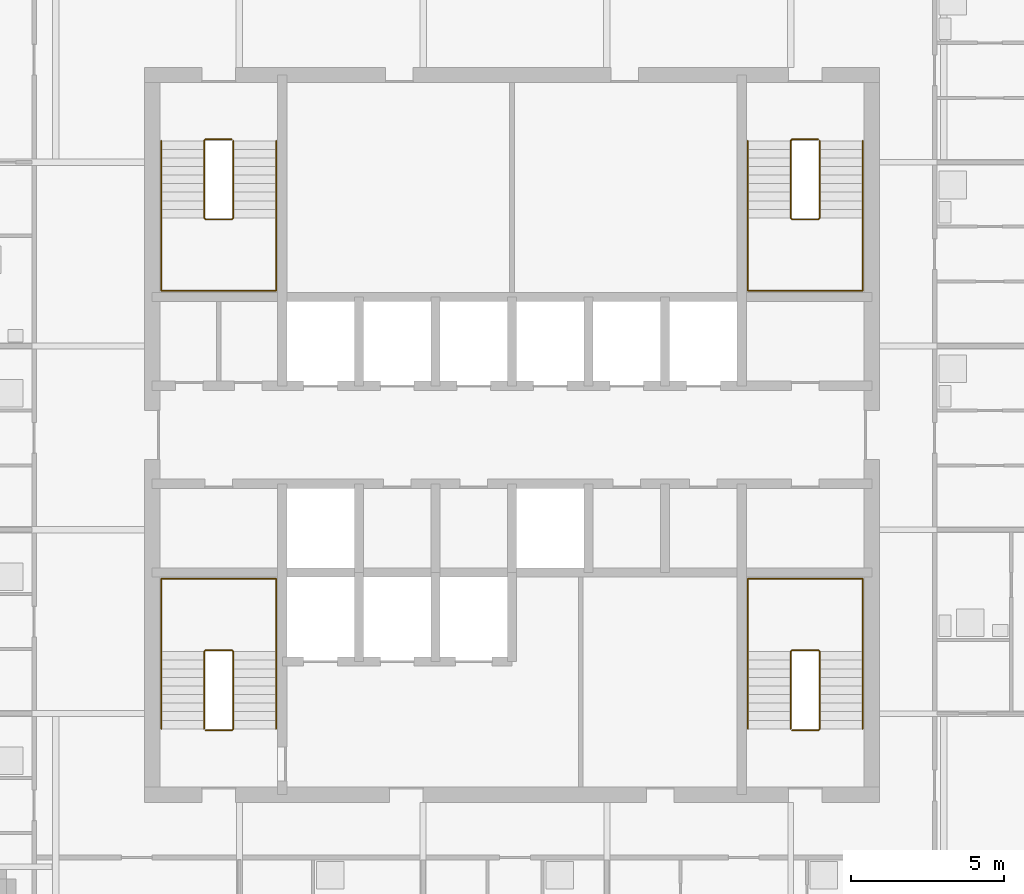
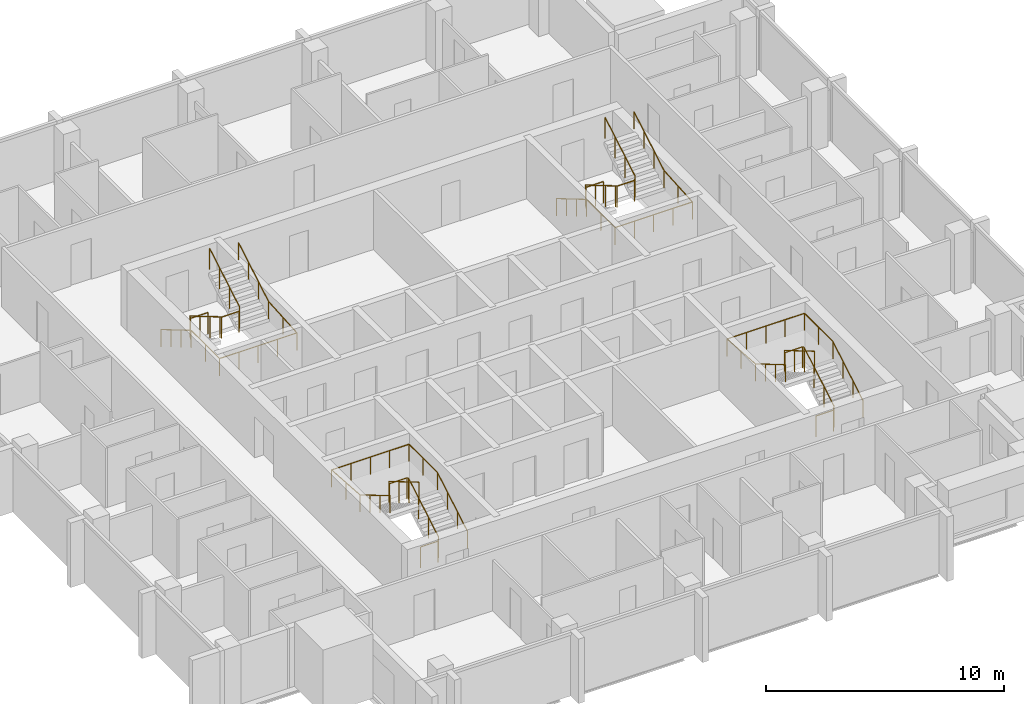
# One storey, part 8 of 9: 8 railings.
"""IFC4 building model written with IfcOpenShell, lengths in metres."""

import ifcopenshell
import ifcopenshell.guid

model = None  # the IFC model being written
_history = None  # IfcOwnerHistory: only IFC2X3 demands one
_inside = {}  # id of a spatial element -> (the spatial element, [elements in it])
_under = {}  # id of a project, library or spatial element -> (it, [spatial elements below it])
_declared = {}  # id of a project -> (the project, [libraries it declares])
_typed = {}  # id of a type object -> (the type object, [elements of that type])
_made_of = {}  # id of a material, layer set ... -> (it, [elements and type objects made of it])


def new_model(schema):
    """Start an empty IFC model of exactly this schema.

    Asked for "IFC4X3", IfcOpenShell would pick the latest addendum, in which some entities
    have other attributes; the version numbers below select the first issue.
    IFC2X3 requires an IfcOwnerHistory on every rooted entity: one is made here for all.
    """
    global model, _history
    if schema == "IFC4X3":
        model = ifcopenshell.file(schema_version=(4, 3, 0, 0))
    else:
        model = ifcopenshell.file(schema=schema)
    _inside.clear()
    _under.clear()
    _declared.clear()
    _typed.clear()
    _made_of.clear()
    _history = None
    if model.schema == "IFC2X3":
        org = make("IfcOrganization", Name="unknown")
        user = make(
            "IfcPersonAndOrganization",
            ThePerson=make("IfcPerson", FamilyName="unknown"),
            TheOrganization=org,
        )
        app = make(
            "IfcApplication",
            ApplicationDeveloper=org,
            Version="unknown",
            ApplicationFullName="unknown",
            ApplicationIdentifier="unknown",
        )
        _history = make(
            "IfcOwnerHistory",
            OwningUser=user,
            OwningApplication=app,
            ChangeAction="ADDED",
            CreationDate=0,
        )
    return model


def make(cls, **values):
    """One entity of the class cls with the attributes given. An attribute that is None is left unset."""
    return model.create_entity(
        cls, **{name: value for name, value in values.items() if value is not None}
    )


def rooted(cls, **values):
    """An entity with a GlobalId (a new one), such as an element, a storey or a relation."""
    return make(cls, GlobalId=ifcopenshell.guid.new(), OwnerHistory=_history, **values)


def si_unit(unit_type, name, prefix=None):
    """IfcSIUnit, for example si_unit("LENGTHUNIT", "METRE", prefix="MILLI")."""
    return make("IfcSIUnit", UnitType=unit_type, Prefix=prefix, Name=name)


def assignment(units):
    """IfcUnitAssignment: the units of a project."""
    return None if units is None else make("IfcUnitAssignment", Units=units)


def point(xyz):
    """IfcCartesianPoint."""
    return None if xyz is None else make("IfcCartesianPoint", Coordinates=xyz)


def direction(xyz):
    """IfcDirection."""
    return None if xyz is None else make("IfcDirection", DirectionRatios=xyz)


def frame(location, z_axis=None, x_axis=None):
    """IfcAxis2Placement3D, a coordinate frame: its origin and axes. An axis left out is left unset."""
    return make(
        "IfcAxis2Placement3D",
        Location=point(location),
        Axis=direction(z_axis),
        RefDirection=direction(x_axis),
    )


def frame_2d(location, x_axis=None):
    """IfcAxis2Placement2D, a coordinate frame in the plane: its origin and x axis."""
    return make(
        "IfcAxis2Placement2D", Location=point(location), RefDirection=direction(x_axis)
    )


def origin():
    """The frame at (0, 0, 0) with its axes left unset."""
    return frame((0.0, 0.0, 0.0))


def origin_2d():
    """The frame at (0, 0) in the plane with its x axis left unset."""
    return frame_2d((0.0, 0.0))


def place(relative_to, where):
    """IfcLocalPlacement: puts the frame where relative to a parent placement (None: the world)."""
    return make(
        "IfcLocalPlacement", PlacementRelTo=relative_to, RelativePlacement=where
    )


def context(
    kind, dimensions, precision=None, world=None, true_north=None, identifier=None
):
    """IfcGeometricRepresentationContext, for example the 3D "Model" context."""
    return make(
        "IfcGeometricRepresentationContext",
        ContextIdentifier=identifier,
        ContextType=kind,
        CoordinateSpaceDimension=dimensions,
        Precision=precision,
        WorldCoordinateSystem=world,
        TrueNorth=true_north,
    )


def subcontext(parent, identifier, kind, view, scale=None):
    """IfcGeometricRepresentationSubContext, for example "Body" below "Model"."""
    return make(
        "IfcGeometricRepresentationSubContext",
        ContextIdentifier=identifier,
        ContextType=kind,
        ParentContext=parent,
        TargetScale=scale,
        TargetView=view,
    )


def project(units=None, contexts=None):
    """IfcProject with its units and contexts."""
    return rooted(
        "IfcProject",
        Name="project",
        RepresentationContexts=contexts,
        UnitsInContext=assignment(units),
    )


def spatial(cls, under=None, at=None, **own):
    """A site, building, storey or space (cls), placed at a placement, below another one or the project."""
    s = rooted(cls, ObjectPlacement=at, **own)
    if under is not None:
        _under.setdefault(under.id(), (under, []))[1].append(s)
    return s


def profile(cls, at=None, kind="AREA", **sizes):
    """A parametric profile (cls). Its sizes go by their IFC names, for example OverallWidth=200.0."""
    return make(cls, ProfileType=kind, Position=at, **sizes)


def circle(**sizes):
    """IfcCircleProfileDef."""
    return profile("IfcCircleProfileDef", **sizes)


def extrude(swept, where, along, depth):
    """IfcExtrudedAreaSolid: the profile swept, set in the frame where, extruded along a direction by depth."""
    return make(
        "IfcExtrudedAreaSolid",
        SweptArea=swept,
        Position=where,
        ExtrudedDirection=direction(along),
        Depth=depth,
    )


def shape(context_of_items, identifier, shape_type, items):
    """IfcShapeRepresentation: the items that make up one representation, for example the "Body"."""
    return make(
        "IfcShapeRepresentation",
        ContextOfItems=context_of_items,
        RepresentationIdentifier=identifier,
        RepresentationType=shape_type,
        Items=items,
    )


def material(Name=None, Category=None):
    """IfcMaterial."""
    return make("IfcMaterial", Name=Name, Category=Category)


def made_of(thing, what):
    """Note that an element or type object is made of a material, layer set ...; save() writes the relation."""
    if what is not None:
        _made_of.setdefault(what.id(), (what, []))[1].append(thing)
    return thing


def type_object(cls, material=None, **own):
    """A type object (cls), such as IfcWallType, which elements share."""
    return made_of(rooted(cls, **own), material)


def element(
    cls,
    number,
    at=None,
    inside=None,
    cuts=None,
    type_object=None,
    material=None,
    context=None,
    identifier="Body",
    shape_type=None,
    held_by="IfcProductDefinitionShape",
    body=None,
    shapes=None,
    **own,
):
    """One element of the class cls, such as IfcWall. Its Tag is "e" and its number.

    at: its placement. inside: the storey or other place that contains it. cuts: it is an
    opening in that element (IfcRelVoidsElement). A single representation is given by context,
    identifier, shape_type and body (its items); several are given by shapes. held_by: the class
    of the entity that holds the representations. save() writes the other relations.
    """
    e = rooted(cls, Tag="e%d" % number, ObjectPlacement=at, **own)
    if body is not None:
        shapes = [shape(context, identifier, shape_type, body)]
    if shapes is not None:
        e.Representation = make(held_by, Representations=shapes)
    if inside is not None:
        _inside.setdefault(inside.id(), (inside, []))[1].append(e)
    if cuts is not None:
        rooted(
            "IfcRelVoidsElement", RelatingBuildingElement=cuts, RelatedOpeningElement=e
        )
    if type_object is not None:
        _typed.setdefault(type_object.id(), (type_object, []))[1].append(e)
    return made_of(e, material)


def aggregate(whole, parts):
    """IfcRelAggregates: a whole, such as a stair, and the parts it consists of."""
    return rooted("IfcRelAggregates", RelatingObject=whole, RelatedObjects=parts)


def save(model, path):
    """Write the relations noted so far, then the file.

    IfcRelAggregates (storeys below a building ...), IfcRelContainedInSpatialStructure (elements
    in a storey), IfcRelDefinesByType, IfcRelAssociatesMaterial and IfcRelDeclares: one each for
    every whole, place, type object, material and project.
    """
    for whole, parts in _under.values():
        aggregate(whole, parts)
    for where, things in _inside.values():
        rooted(
            "IfcRelContainedInSpatialStructure",
            RelatedElements=things,
            RelatingStructure=where,
        )
    for kind, things in _typed.values():
        rooted("IfcRelDefinesByType", RelatedObjects=things, RelatingType=kind)
    for what, things in _made_of.values():
        rooted("IfcRelAssociatesMaterial", RelatedObjects=things, RelatingMaterial=what)
    for by, libraries in _declared.values():
        rooted("IfcRelDeclares", RelatingContext=by, RelatedDefinitions=libraries)
    model.write(path)


model = new_model("IFC4")

# Units and contexts
model_context = context("Model", 3, precision=1e-05, world=origin(), true_north=direction((0.0, 1.0)))
body_context = subcontext(model_context, "Body", "Model", "MODEL_VIEW")
ifc_project = project(units=[si_unit("LENGTHUNIT", "METRE"), si_unit("AREAUNIT", "SQUARE_METRE"), si_unit("VOLUMEUNIT", "CUBIC_METRE"), si_unit("PLANEANGLEUNIT", "RADIAN"), si_unit("MASSUNIT", "GRAM", prefix="KILO")], contexts=[model_context])

# Site, building, storey
site_placement = place(None, origin())
site = spatial("IfcSite", under=ifc_project, at=site_placement, CompositionType="ELEMENT")
building_placement = place(site_placement, origin())
building = spatial("IfcBuilding", under=site, at=building_placement, Name="Amberfall Residences", CompositionType="ELEMENT")
storey_placement = place(building_placement, frame((0.0, 0.0, 245.5)))
storey = spatial("IfcBuildingStorey", under=building, at=storey_placement, Name="L65", CompositionType="ELEMENT", Elevation=245.5)

# Railings
ifc_material = material(Name="Stainless steel 316", Category="steel")
railing_type_1 = type_object("IfcRailingType", Name="Stair guard 1100", PredefinedType="GUARDRAIL", material=ifc_material)
railing_1_placement = place(storey_placement, frame((64.5, 35.85009765625, 0.0)))
element("IfcRailing", 1, at=railing_1_placement, inside=storey, type_object=railing_type_1, Name="L65 stair 1 guard", PredefinedType="GUARDRAIL", context=body_context, shape_type="SweptSolid", body=[
    extrude(circle(Radius=0.02392578125, at=origin_2d()), frame((0.0, 0.0, 1.076171875), z_axis=(1.0, 0.0, 0.0), x_axis=(0.0, 1.0, 0.0)), (0.0, 0.0, 1.0), 0.85009765625),
    extrude(circle(Radius=0.02392578125, at=origin_2d()), frame((0.85009765625, 0.0, 1.076171875), z_axis=(0.27755538755, 0.27755538755, 0.919742362667), x_axis=(-0.707106781187, 0.707106781187, 0.0)), (0.0, 0.0, 1.0), 0.179443359375),
    extrude(circle(Radius=0.02392578125, at=origin_2d()), frame((0.89990234375, 0.0498046875, 1.2412109375), z_axis=(0.0, 0.861560626758, 0.507654692109), x_axis=(-1.0, 0.0, 0.0)), (0.0, 0.0, 1.0), 2.925048828125),
    extrude(circle(Radius=0.02392578125, at=origin_2d()), frame((0.89990234375, 2.56982421875, 2.72607421875), z_axis=(-0.705375805398, 0.708833529934, 0.0), x_axis=(-0.708833529934, -0.705375805398, 0.0)), (0.0, 0.0, 1.0), 0.070556640625),
    extrude(circle(Radius=0.02392578125, at=origin_2d()), frame((0.85009765625, 2.619873046875, 2.72607421875), z_axis=(-1.0, 0.0, 0.0), x_axis=(0.0, -1.0, 0.0)), (0.0, 0.0, 1.0), 0.85009765625),
    extrude(circle(Radius=0.02392578125, at=origin_2d()), frame((0.0, 2.619873046875, 2.72607421875), z_axis=(-0.278705021027, -0.278705021027, 0.919046801044), x_axis=(0.707106781187, -0.707106781187, 0.0)), (0.0, 0.0, 1.0), 0.1796875),
    extrude(circle(Radius=0.02392578125, at=origin_2d()), frame((-0.050048828125, 2.56982421875, 2.89111328125), z_axis=(0.0, -0.86152411907, 0.507716645641), x_axis=(1.0, 0.0, 0.0)), (0.0, 0.0, 1.0), 2.925048828125),
    extrude(circle(Radius=0.02099609375, at=origin_2d()), origin(), (0.0, 0.0, 1.0), 1.052001953125),
    extrude(circle(Radius=0.02099609375, at=origin_2d()), frame((0.85009765625, 0.0, 0.0)), (0.0, 0.0, 1.0), 1.052001953125),
    extrude(circle(Radius=0.02099609375, at=origin_2d()), frame((0.89990234375, 0.0498046875, 0.1650390625)), (0.0, 0.0, 1.0), 1.052001953125),
    extrude(circle(Radius=0.02099609375, at=origin_2d()), frame((0.89990234375, 0.889892578125, 0.659912109375)), (0.0, 0.0, 1.0), 1.052001953125),
    extrude(circle(Radius=0.02099609375, at=origin_2d()), frame((0.89990234375, 1.729736328125, 1.155029296875)), (0.0, 0.0, 1.0), 1.052001953125),
    extrude(circle(Radius=0.02099609375, at=origin_2d()), frame((0.89990234375, 2.56982421875, 1.64990234375)), (0.0, 0.0, 1.0), 1.052001953125),
    extrude(circle(Radius=0.02099609375, at=origin_2d()), frame((0.85009765625, 2.619873046875, 1.64990234375)), (0.0, 0.0, 1.0), 1.052001953125),
    extrude(circle(Radius=0.02099609375, at=origin_2d()), frame((0.0, 2.619873046875, 1.64990234375)), (0.0, 0.0, 1.0), 1.052001953125),
    extrude(circle(Radius=0.02099609375, at=origin_2d()), frame((-0.050048828125, 2.56982421875, 1.81494140625)), (0.0, 0.0, 1.0), 1.052001953125),
    extrude(circle(Radius=0.02099609375, at=origin_2d()), frame((-0.050048828125, 1.729736328125, 2.31005859375)), (0.0, 0.0, 1.0), 1.052001953125),
    extrude(circle(Radius=0.02099609375, at=origin_2d()), frame((-0.050048828125, 0.889892578125, 2.804931640625)), (0.0, 0.0, 1.0), 1.052001953125),
    extrude(circle(Radius=0.02099609375, at=origin_2d()), frame((-0.050048828125, 0.0498046875, 3.300048828125)), (0.0, 0.0, 1.0), 1.052001953125),
])
railing_2_placement = place(storey_placement, frame((83.64990234375, 35.85009765625, 0.0)))
element("IfcRailing", 2, at=railing_2_placement, inside=storey, type_object=railing_type_1, Name="L65 stair 2 guard", PredefinedType="GUARDRAIL", context=body_context, shape_type="SweptSolid", body=[
    extrude(circle(Radius=0.02392578125, at=origin_2d()), frame((0.0, 0.0, 1.076171875), z_axis=(1.0, 0.0, 0.0), x_axis=(0.0, 1.0, 0.0)), (0.0, 0.0, 1.0), 0.85009765625),
    extrude(circle(Radius=0.02392578125, at=origin_2d()), frame((0.85009765625, 0.0, 1.076171875), z_axis=(0.278810427259, 0.277450376394, 0.919394384522), x_axis=(-0.705375805398, 0.708833529934, 0.0)), (0.0, 0.0, 1.0), 0.179443359375),
    extrude(circle(Radius=0.02392578125, at=origin_2d()), frame((0.900146484375, 0.0498046875, 1.2412109375), z_axis=(0.0, 0.861560626758, 0.507654692109), x_axis=(-1.0, 0.0, 0.0)), (0.0, 0.0, 1.0), 2.925048828125),
    extrude(circle(Radius=0.02392578125, at=origin_2d()), frame((0.900146484375, 2.56982421875, 2.72607421875), z_axis=(-0.707106781187, 0.707106781187, 0.0), x_axis=(-0.707106781187, -0.707106781187, 0.0)), (0.0, 0.0, 1.0), 0.07080078125),
    extrude(circle(Radius=0.02392578125, at=origin_2d()), frame((0.85009765625, 2.619873046875, 2.72607421875), z_axis=(-1.0, 0.0, 0.0), x_axis=(0.0, -1.0, 0.0)), (0.0, 0.0, 1.0), 0.85009765625),
    extrude(circle(Radius=0.02392578125, at=origin_2d()), frame((0.0, 2.619873046875, 2.72607421875), z_axis=(-0.277450376394, -0.278810427259, 0.919394384522), x_axis=(0.708833529934, -0.705375805398, 0.0)), (0.0, 0.0, 1.0), 0.179443359375),
    extrude(circle(Radius=0.02392578125, at=origin_2d()), frame((-0.0498046875, 2.56982421875, 2.89111328125), z_axis=(0.0, -0.86152411907, 0.507716645641), x_axis=(1.0, 0.0, 0.0)), (0.0, 0.0, 1.0), 2.925048828125),
    extrude(circle(Radius=0.02099609375, at=origin_2d()), origin(), (0.0, 0.0, 1.0), 1.052001953125),
    extrude(circle(Radius=0.02099609375, at=origin_2d()), frame((0.85009765625, 0.0, 0.0)), (0.0, 0.0, 1.0), 1.052001953125),
    extrude(circle(Radius=0.02099609375, at=origin_2d()), frame((0.900146484375, 0.0498046875, 0.1650390625)), (0.0, 0.0, 1.0), 1.052001953125),
    extrude(circle(Radius=0.02099609375, at=origin_2d()), frame((0.900146484375, 0.889892578125, 0.659912109375)), (0.0, 0.0, 1.0), 1.052001953125),
    extrude(circle(Radius=0.02099609375, at=origin_2d()), frame((0.900146484375, 1.729736328125, 1.155029296875)), (0.0, 0.0, 1.0), 1.052001953125),
    extrude(circle(Radius=0.02099609375, at=origin_2d()), frame((0.900146484375, 2.56982421875, 1.64990234375)), (0.0, 0.0, 1.0), 1.052001953125),
    extrude(circle(Radius=0.02099609375, at=origin_2d()), frame((0.85009765625, 2.619873046875, 1.64990234375)), (0.0, 0.0, 1.0), 1.052001953125),
    extrude(circle(Radius=0.02099609375, at=origin_2d()), frame((0.0, 2.619873046875, 1.64990234375)), (0.0, 0.0, 1.0), 1.052001953125),
    extrude(circle(Radius=0.02099609375, at=origin_2d()), frame((-0.0498046875, 2.56982421875, 1.81494140625)), (0.0, 0.0, 1.0), 1.052001953125),
    extrude(circle(Radius=0.02099609375, at=origin_2d()), frame((-0.0498046875, 1.729736328125, 2.31005859375)), (0.0, 0.0, 1.0), 1.052001953125),
    extrude(circle(Radius=0.02099609375, at=origin_2d()), frame((-0.0498046875, 0.889892578125, 2.804931640625)), (0.0, 0.0, 1.0), 1.052001953125),
    extrude(circle(Radius=0.02099609375, at=origin_2d()), frame((-0.0498046875, 0.0498046875, 3.300048828125)), (0.0, 0.0, 1.0), 1.052001953125),
])
railing_3_placement = place(storey_placement, frame((84.5, 55.14990234375, 0.0)))
element("IfcRailing", 3, at=railing_3_placement, inside=storey, type_object=railing_type_1, Name="L65 stair 3 guard", PredefinedType="GUARDRAIL", context=body_context, shape_type="SweptSolid", body=[
    extrude(circle(Radius=0.02392578125, at=origin_2d()), frame((0.0, 0.0, 1.076171875), z_axis=(-1.0, 0.0, 0.0), x_axis=(0.0, -1.0, 0.0)), (0.0, 0.0, 1.0), 0.85009765625),
    extrude(circle(Radius=0.02392578125, at=origin_2d()), frame((-0.85009765625, 0.0, 1.076171875), z_axis=(-0.27755538755, -0.27755538755, 0.919742362667), x_axis=(0.707106781187, -0.707106781187, 0.0)), (0.0, 0.0, 1.0), 0.179443359375),
    extrude(circle(Radius=0.02392578125, at=origin_2d()), frame((-0.89990234375, -0.0498046875, 1.2412109375), z_axis=(0.0, -0.861560626758, 0.507654692109), x_axis=(1.0, 0.0, 0.0)), (0.0, 0.0, 1.0), 2.925048828125),
    extrude(circle(Radius=0.02392578125, at=origin_2d()), frame((-0.89990234375, -2.56982421875, 2.72607421875), z_axis=(0.705375805398, -0.708833529934, 0.0), x_axis=(0.708833529934, 0.705375805398, 0.0)), (0.0, 0.0, 1.0), 0.070556640625),
    extrude(circle(Radius=0.02392578125, at=origin_2d()), frame((-0.85009765625, -2.619873046875, 2.72607421875), z_axis=(1.0, 0.0, 0.0), x_axis=(0.0, 1.0, 0.0)), (0.0, 0.0, 1.0), 0.85009765625),
    extrude(circle(Radius=0.02392578125, at=origin_2d()), frame((0.0, -2.619873046875, 2.72607421875), z_axis=(0.278705021027, 0.278705021027, 0.919046801044), x_axis=(-0.707106781187, 0.707106781187, 0.0)), (0.0, 0.0, 1.0), 0.1796875),
    extrude(circle(Radius=0.02392578125, at=origin_2d()), frame((0.050048828125, -2.56982421875, 2.89111328125), z_axis=(0.0, 0.86152411907, 0.507716645641), x_axis=(-1.0, 0.0, 0.0)), (0.0, 0.0, 1.0), 2.925048828125),
    extrude(circle(Radius=0.02099609375, at=origin_2d()), origin(), (0.0, 0.0, 1.0), 1.052001953125),
    extrude(circle(Radius=0.02099609375, at=origin_2d()), frame((-0.85009765625, 0.0, 0.0)), (0.0, 0.0, 1.0), 1.052001953125),
    extrude(circle(Radius=0.02099609375, at=origin_2d()), frame((-0.89990234375, -0.0498046875, 0.1650390625)), (0.0, 0.0, 1.0), 1.052001953125),
    extrude(circle(Radius=0.02099609375, at=origin_2d()), frame((-0.89990234375, -0.889892578125, 0.659912109375)), (0.0, 0.0, 1.0), 1.052001953125),
    extrude(circle(Radius=0.02099609375, at=origin_2d()), frame((-0.89990234375, -1.729736328125, 1.155029296875)), (0.0, 0.0, 1.0), 1.052001953125),
    extrude(circle(Radius=0.02099609375, at=origin_2d()), frame((-0.89990234375, -2.56982421875, 1.64990234375)), (0.0, 0.0, 1.0), 1.052001953125),
    extrude(circle(Radius=0.02099609375, at=origin_2d()), frame((-0.85009765625, -2.619873046875, 1.64990234375)), (0.0, 0.0, 1.0), 1.052001953125),
    extrude(circle(Radius=0.02099609375, at=origin_2d()), frame((0.0, -2.619873046875, 1.64990234375)), (0.0, 0.0, 1.0), 1.052001953125),
    extrude(circle(Radius=0.02099609375, at=origin_2d()), frame((0.050048828125, -2.56982421875, 1.81494140625)), (0.0, 0.0, 1.0), 1.052001953125),
    extrude(circle(Radius=0.02099609375, at=origin_2d()), frame((0.050048828125, -1.729736328125, 2.31005859375)), (0.0, 0.0, 1.0), 1.052001953125),
    extrude(circle(Radius=0.02099609375, at=origin_2d()), frame((0.050048828125, -0.889892578125, 2.804931640625)), (0.0, 0.0, 1.0), 1.052001953125),
    extrude(circle(Radius=0.02099609375, at=origin_2d()), frame((0.050048828125, -0.0498046875, 3.300048828125)), (0.0, 0.0, 1.0), 1.052001953125),
])
railing_4_placement = place(storey_placement, frame((65.35009765625, 55.14990234375, 0.0)))
element("IfcRailing", 4, at=railing_4_placement, inside=storey, type_object=railing_type_1, Name="L65 stair 4 guard", PredefinedType="GUARDRAIL", context=body_context, shape_type="SweptSolid", body=[
    extrude(circle(Radius=0.02392578125, at=origin_2d()), frame((0.0, 0.0, 1.076171875), z_axis=(-1.0, 0.0, 0.0), x_axis=(0.0, -1.0, 0.0)), (0.0, 0.0, 1.0), 0.85009765625),
    extrude(circle(Radius=0.02392578125, at=origin_2d()), frame((-0.85009765625, 0.0, 1.076171875), z_axis=(-0.278810427259, -0.277450376394, 0.919394384522), x_axis=(0.705375805398, -0.708833529934, 0.0)), (0.0, 0.0, 1.0), 0.179443359375),
    extrude(circle(Radius=0.02392578125, at=origin_2d()), frame((-0.900146484375, -0.0498046875, 1.2412109375), z_axis=(0.0, -0.861560626758, 0.507654692109), x_axis=(1.0, 0.0, 0.0)), (0.0, 0.0, 1.0), 2.925048828125),
    extrude(circle(Radius=0.02392578125, at=origin_2d()), frame((-0.900146484375, -2.56982421875, 2.72607421875), z_axis=(0.707106781187, -0.707106781187, 0.0), x_axis=(0.707106781187, 0.707106781187, 0.0)), (0.0, 0.0, 1.0), 0.07080078125),
    extrude(circle(Radius=0.02392578125, at=origin_2d()), frame((-0.85009765625, -2.619873046875, 2.72607421875), z_axis=(1.0, 0.0, 0.0), x_axis=(0.0, 1.0, 0.0)), (0.0, 0.0, 1.0), 0.85009765625),
    extrude(circle(Radius=0.02392578125, at=origin_2d()), frame((0.0, -2.619873046875, 2.72607421875), z_axis=(0.277450376394, 0.278810427259, 0.919394384522), x_axis=(-0.708833529934, 0.705375805398, 0.0)), (0.0, 0.0, 1.0), 0.179443359375),
    extrude(circle(Radius=0.02392578125, at=origin_2d()), frame((0.0498046875, -2.56982421875, 2.89111328125), z_axis=(0.0, 0.86152411907, 0.507716645641), x_axis=(-1.0, 0.0, 0.0)), (0.0, 0.0, 1.0), 2.925048828125),
    extrude(circle(Radius=0.02099609375, at=origin_2d()), origin(), (0.0, 0.0, 1.0), 1.052001953125),
    extrude(circle(Radius=0.02099609375, at=origin_2d()), frame((-0.85009765625, 0.0, 0.0)), (0.0, 0.0, 1.0), 1.052001953125),
    extrude(circle(Radius=0.02099609375, at=origin_2d()), frame((-0.900146484375, -0.0498046875, 0.1650390625)), (0.0, 0.0, 1.0), 1.052001953125),
    extrude(circle(Radius=0.02099609375, at=origin_2d()), frame((-0.900146484375, -0.889892578125, 0.659912109375)), (0.0, 0.0, 1.0), 1.052001953125),
    extrude(circle(Radius=0.02099609375, at=origin_2d()), frame((-0.900146484375, -1.729736328125, 1.155029296875)), (0.0, 0.0, 1.0), 1.052001953125),
    extrude(circle(Radius=0.02099609375, at=origin_2d()), frame((-0.900146484375, -2.56982421875, 1.64990234375)), (0.0, 0.0, 1.0), 1.052001953125),
    extrude(circle(Radius=0.02099609375, at=origin_2d()), frame((-0.85009765625, -2.619873046875, 1.64990234375)), (0.0, 0.0, 1.0), 1.052001953125),
    extrude(circle(Radius=0.02099609375, at=origin_2d()), frame((0.0, -2.619873046875, 1.64990234375)), (0.0, 0.0, 1.0), 1.052001953125),
    extrude(circle(Radius=0.02099609375, at=origin_2d()), frame((0.0498046875, -2.56982421875, 1.81494140625)), (0.0, 0.0, 1.0), 1.052001953125),
    extrude(circle(Radius=0.02099609375, at=origin_2d()), frame((0.0498046875, -1.729736328125, 2.31005859375)), (0.0, 0.0, 1.0), 1.052001953125),
    extrude(circle(Radius=0.02099609375, at=origin_2d()), frame((0.0498046875, -0.889892578125, 2.804931640625)), (0.0, 0.0, 1.0), 1.052001953125),
    extrude(circle(Radius=0.02099609375, at=origin_2d()), frame((0.0498046875, -0.0498046875, 3.300048828125)), (0.0, 0.0, 1.0), 1.052001953125),
])
railing_type_2 = type_object("IfcRailingType", Name="Stair handrail 900", PredefinedType="HANDRAIL", material=ifc_material)
railing_5_placement = place(storey_placement, frame((66.800048828125, 35.89990234375, 0.1650390625)))
element("IfcRailing", 5, at=railing_5_placement, inside=storey, type_object=railing_type_2, Name="L65 stair 1 handrail", PredefinedType="HANDRAIL", context=body_context, shape_type="SweptSolid", body=[
    extrude(circle(Radius=0.02392578125, at=origin_2d()), frame((0.0, 0.0, 0.8759765625), z_axis=(0.0, 0.861560626758, 0.507654692109), x_axis=(-1.0, 0.0, 0.0)), (0.0, 0.0, 1.0), 2.925048828125),
    extrude(circle(Radius=0.02392578125, at=origin_2d()), frame((0.0, 2.52001953125, 2.36083984375), z_axis=(0.0, 1.0, 0.0), x_axis=(-1.0, 0.0, 0.0)), (0.0, 0.0, 1.0), 2.380126953125),
    extrude(circle(Radius=0.02392578125, at=origin_2d()), frame((0.0, 4.900146484375, 2.36083984375), z_axis=(-1.0, 0.0, 0.0), x_axis=(0.0, -1.0, 0.0)), (0.0, 0.0, 1.0), 3.75),
    extrude(circle(Radius=0.02392578125, at=origin_2d()), frame((-3.75, 4.900146484375, 2.36083984375), z_axis=(0.0, -0.997604585917, 0.069174346095), x_axis=(1.0, 0.0, 0.0)), (0.0, 0.0, 1.0), 2.3857421875),
    extrude(circle(Radius=0.02392578125, at=origin_2d()), frame((-3.75, 2.52001953125, 2.52587890625), z_axis=(0.0, -0.86152411907, 0.507716645641), x_axis=(1.0, 0.0, 0.0)), (0.0, 0.0, 1.0), 2.925048828125),
    extrude(circle(Radius=0.02099609375, at=origin_2d()), origin(), (0.0, 0.0, 1.0), 0.851806640625),
    extrude(circle(Radius=0.02099609375, at=origin_2d()), frame((0.0, 0.840087890625, 0.494873046875)), (0.0, 0.0, 1.0), 0.851806640625),
    extrude(circle(Radius=0.02099609375, at=origin_2d()), frame((0.0, 1.679931640625, 0.989990234375)), (0.0, 0.0, 1.0), 0.851806640625),
    extrude(circle(Radius=0.02099609375, at=origin_2d()), frame((0.0, 2.52001953125, 1.48486328125)), (0.0, 0.0, 1.0), 0.851806640625),
    extrude(circle(Radius=0.02099609375, at=origin_2d()), frame((0.0, 3.7099609375, 1.48486328125)), (0.0, 0.0, 1.0), 0.851806640625),
    extrude(circle(Radius=0.02099609375, at=origin_2d()), frame((0.0, 4.900146484375, 1.48486328125)), (0.0, 0.0, 1.0), 0.851806640625),
    extrude(circle(Radius=0.02099609375, at=origin_2d()), frame((-0.9375, 4.900146484375, 1.48486328125)), (0.0, 0.0, 1.0), 0.851806640625),
    extrude(circle(Radius=0.02099609375, at=origin_2d()), frame((-1.875, 4.900146484375, 1.48486328125)), (0.0, 0.0, 1.0), 0.851806640625),
    extrude(circle(Radius=0.02099609375, at=origin_2d()), frame((-2.8125, 4.900146484375, 1.48486328125)), (0.0, 0.0, 1.0), 0.851806640625),
    extrude(circle(Radius=0.02099609375, at=origin_2d()), frame((-3.75, 4.900146484375, 1.48486328125)), (0.0, 0.0, 1.0), 0.851806640625),
    extrude(circle(Radius=0.02099609375, at=origin_2d()), frame((-3.75, 3.7099609375, 1.5673828125)), (0.0, 0.0, 1.0), 0.851806640625),
    extrude(circle(Radius=0.02099609375, at=origin_2d()), frame((-3.75, 2.52001953125, 1.64990234375)), (0.0, 0.0, 1.0), 0.851806640625),
    extrude(circle(Radius=0.02099609375, at=origin_2d()), frame((-3.75, 1.679931640625, 2.14501953125)), (0.0, 0.0, 1.0), 0.851806640625),
    extrude(circle(Radius=0.02099609375, at=origin_2d()), frame((-3.75, 0.840087890625, 2.639892578125)), (0.0, 0.0, 1.0), 0.851806640625),
    extrude(circle(Radius=0.02099609375, at=origin_2d()), frame((-3.75, 0.0, 3.135009765625)), (0.0, 0.0, 1.0), 0.851806640625),
])
railing_6_placement = place(storey_placement, frame((85.949951171875, 35.89990234375, 0.1650390625)))
element("IfcRailing", 6, at=railing_6_placement, inside=storey, type_object=railing_type_2, Name="L65 stair 2 handrail", PredefinedType="HANDRAIL", context=body_context, shape_type="SweptSolid", body=[
    extrude(circle(Radius=0.02392578125, at=origin_2d()), frame((0.0, 0.0, 0.8759765625), z_axis=(0.0, 0.861560626758, 0.507654692109), x_axis=(-1.0, 0.0, 0.0)), (0.0, 0.0, 1.0), 2.925048828125),
    extrude(circle(Radius=0.02392578125, at=origin_2d()), frame((0.0, 2.52001953125, 2.36083984375), z_axis=(0.0, 1.0, 0.0), x_axis=(-1.0, 0.0, 0.0)), (0.0, 0.0, 1.0), 2.380126953125),
    extrude(circle(Radius=0.02392578125, at=origin_2d()), frame((0.0, 4.900146484375, 2.36083984375), z_axis=(-1.0, 0.0, 0.0), x_axis=(0.0, -1.0, 0.0)), (0.0, 0.0, 1.0), 3.75),
    extrude(circle(Radius=0.02392578125, at=origin_2d()), frame((-3.75, 4.900146484375, 2.36083984375), z_axis=(0.0, -0.997604585917, 0.069174346095), x_axis=(1.0, 0.0, 0.0)), (0.0, 0.0, 1.0), 2.3857421875),
    extrude(circle(Radius=0.02392578125, at=origin_2d()), frame((-3.75, 2.52001953125, 2.52587890625), z_axis=(0.0, -0.86152411907, 0.507716645641), x_axis=(1.0, 0.0, 0.0)), (0.0, 0.0, 1.0), 2.925048828125),
    extrude(circle(Radius=0.02099609375, at=origin_2d()), origin(), (0.0, 0.0, 1.0), 0.851806640625),
    extrude(circle(Radius=0.02099609375, at=origin_2d()), frame((0.0, 0.840087890625, 0.494873046875)), (0.0, 0.0, 1.0), 0.851806640625),
    extrude(circle(Radius=0.02099609375, at=origin_2d()), frame((0.0, 1.679931640625, 0.989990234375)), (0.0, 0.0, 1.0), 0.851806640625),
    extrude(circle(Radius=0.02099609375, at=origin_2d()), frame((0.0, 2.52001953125, 1.48486328125)), (0.0, 0.0, 1.0), 0.851806640625),
    extrude(circle(Radius=0.02099609375, at=origin_2d()), frame((0.0, 3.7099609375, 1.48486328125)), (0.0, 0.0, 1.0), 0.851806640625),
    extrude(circle(Radius=0.02099609375, at=origin_2d()), frame((0.0, 4.900146484375, 1.48486328125)), (0.0, 0.0, 1.0), 0.851806640625),
    extrude(circle(Radius=0.02099609375, at=origin_2d()), frame((-0.9375, 4.900146484375, 1.48486328125)), (0.0, 0.0, 1.0), 0.851806640625),
    extrude(circle(Radius=0.02099609375, at=origin_2d()), frame((-1.875, 4.900146484375, 1.48486328125)), (0.0, 0.0, 1.0), 0.851806640625),
    extrude(circle(Radius=0.02099609375, at=origin_2d()), frame((-2.8125, 4.900146484375, 1.48486328125)), (0.0, 0.0, 1.0), 0.851806640625),
    extrude(circle(Radius=0.02099609375, at=origin_2d()), frame((-3.75, 4.900146484375, 1.48486328125)), (0.0, 0.0, 1.0), 0.851806640625),
    extrude(circle(Radius=0.02099609375, at=origin_2d()), frame((-3.75, 3.7099609375, 1.5673828125)), (0.0, 0.0, 1.0), 0.851806640625),
    extrude(circle(Radius=0.02099609375, at=origin_2d()), frame((-3.75, 2.52001953125, 1.64990234375)), (0.0, 0.0, 1.0), 0.851806640625),
    extrude(circle(Radius=0.02099609375, at=origin_2d()), frame((-3.75, 1.679931640625, 2.14501953125)), (0.0, 0.0, 1.0), 0.851806640625),
    extrude(circle(Radius=0.02099609375, at=origin_2d()), frame((-3.75, 0.840087890625, 2.639892578125)), (0.0, 0.0, 1.0), 0.851806640625),
    extrude(circle(Radius=0.02099609375, at=origin_2d()), frame((-3.75, 0.0, 3.135009765625)), (0.0, 0.0, 1.0), 0.851806640625),
])
railing_7_placement = place(storey_placement, frame((82.199951171875, 55.10009765625, 0.1650390625)))
element("IfcRailing", 7, at=railing_7_placement, inside=storey, type_object=railing_type_2, Name="L65 stair 3 handrail", PredefinedType="HANDRAIL", context=body_context, shape_type="SweptSolid", body=[
    extrude(circle(Radius=0.02392578125, at=origin_2d()), frame((0.0, 0.0, 0.8759765625), z_axis=(0.0, -0.861560626758, 0.507654692109), x_axis=(1.0, 0.0, 0.0)), (0.0, 0.0, 1.0), 2.925048828125),
    extrude(circle(Radius=0.02392578125, at=origin_2d()), frame((0.0, -2.52001953125, 2.36083984375), z_axis=(0.0, -1.0, 0.0), x_axis=(1.0, 0.0, 0.0)), (0.0, 0.0, 1.0), 2.380126953125),
    extrude(circle(Radius=0.02392578125, at=origin_2d()), frame((0.0, -4.900146484375, 2.36083984375), z_axis=(1.0, 0.0, 0.0), x_axis=(0.0, 1.0, 0.0)), (0.0, 0.0, 1.0), 3.75),
    extrude(circle(Radius=0.02392578125, at=origin_2d()), frame((3.75, -4.900146484375, 2.36083984375), z_axis=(0.0, 0.997604585917, 0.069174346095), x_axis=(-1.0, 0.0, 0.0)), (0.0, 0.0, 1.0), 2.3857421875),
    extrude(circle(Radius=0.02392578125, at=origin_2d()), frame((3.75, -2.52001953125, 2.52587890625), z_axis=(0.0, 0.86152411907, 0.507716645641), x_axis=(-1.0, 0.0, 0.0)), (0.0, 0.0, 1.0), 2.925048828125),
    extrude(circle(Radius=0.02099609375, at=origin_2d()), origin(), (0.0, 0.0, 1.0), 0.851806640625),
    extrude(circle(Radius=0.02099609375, at=origin_2d()), frame((0.0, -0.840087890625, 0.494873046875)), (0.0, 0.0, 1.0), 0.851806640625),
    extrude(circle(Radius=0.02099609375, at=origin_2d()), frame((0.0, -1.679931640625, 0.989990234375)), (0.0, 0.0, 1.0), 0.851806640625),
    extrude(circle(Radius=0.02099609375, at=origin_2d()), frame((0.0, -2.52001953125, 1.48486328125)), (0.0, 0.0, 1.0), 0.851806640625),
    extrude(circle(Radius=0.02099609375, at=origin_2d()), frame((0.0, -3.7099609375, 1.48486328125)), (0.0, 0.0, 1.0), 0.851806640625),
    extrude(circle(Radius=0.02099609375, at=origin_2d()), frame((0.0, -4.900146484375, 1.48486328125)), (0.0, 0.0, 1.0), 0.851806640625),
    extrude(circle(Radius=0.02099609375, at=origin_2d()), frame((0.9375, -4.900146484375, 1.48486328125)), (0.0, 0.0, 1.0), 0.851806640625),
    extrude(circle(Radius=0.02099609375, at=origin_2d()), frame((1.875, -4.900146484375, 1.48486328125)), (0.0, 0.0, 1.0), 0.851806640625),
    extrude(circle(Radius=0.02099609375, at=origin_2d()), frame((2.8125, -4.900146484375, 1.48486328125)), (0.0, 0.0, 1.0), 0.851806640625),
    extrude(circle(Radius=0.02099609375, at=origin_2d()), frame((3.75, -4.900146484375, 1.48486328125)), (0.0, 0.0, 1.0), 0.851806640625),
    extrude(circle(Radius=0.02099609375, at=origin_2d()), frame((3.75, -3.7099609375, 1.5673828125)), (0.0, 0.0, 1.0), 0.851806640625),
    extrude(circle(Radius=0.02099609375, at=origin_2d()), frame((3.75, -2.52001953125, 1.64990234375)), (0.0, 0.0, 1.0), 0.851806640625),
    extrude(circle(Radius=0.02099609375, at=origin_2d()), frame((3.75, -1.679931640625, 2.14501953125)), (0.0, 0.0, 1.0), 0.851806640625),
    extrude(circle(Radius=0.02099609375, at=origin_2d()), frame((3.75, -0.840087890625, 2.639892578125)), (0.0, 0.0, 1.0), 0.851806640625),
    extrude(circle(Radius=0.02099609375, at=origin_2d()), frame((3.75, 0.0, 3.135009765625)), (0.0, 0.0, 1.0), 0.851806640625),
])
railing_8_placement = place(storey_placement, frame((63.050048828125, 55.10009765625, 0.1650390625)))
element("IfcRailing", 8, at=railing_8_placement, inside=storey, type_object=railing_type_2, Name="L65 stair 4 handrail", PredefinedType="HANDRAIL", context=body_context, shape_type="SweptSolid", body=[
    extrude(circle(Radius=0.02392578125, at=origin_2d()), frame((0.0, 0.0, 0.8759765625), z_axis=(0.0, -0.861560626758, 0.507654692109), x_axis=(1.0, 0.0, 0.0)), (0.0, 0.0, 1.0), 2.925048828125),
    extrude(circle(Radius=0.02392578125, at=origin_2d()), frame((0.0, -2.52001953125, 2.36083984375), z_axis=(0.0, -1.0, 0.0), x_axis=(1.0, 0.0, 0.0)), (0.0, 0.0, 1.0), 2.380126953125),
    extrude(circle(Radius=0.02392578125, at=origin_2d()), frame((0.0, -4.900146484375, 2.36083984375), z_axis=(1.0, 0.0, 0.0), x_axis=(0.0, 1.0, 0.0)), (0.0, 0.0, 1.0), 3.75),
    extrude(circle(Radius=0.02392578125, at=origin_2d()), frame((3.75, -4.900146484375, 2.36083984375), z_axis=(0.0, 0.997604585917, 0.069174346095), x_axis=(-1.0, 0.0, 0.0)), (0.0, 0.0, 1.0), 2.3857421875),
    extrude(circle(Radius=0.02392578125, at=origin_2d()), frame((3.75, -2.52001953125, 2.52587890625), z_axis=(0.0, 0.86152411907, 0.507716645641), x_axis=(-1.0, 0.0, 0.0)), (0.0, 0.0, 1.0), 2.925048828125),
    extrude(circle(Radius=0.02099609375, at=origin_2d()), origin(), (0.0, 0.0, 1.0), 0.851806640625),
    extrude(circle(Radius=0.02099609375, at=origin_2d()), frame((0.0, -0.840087890625, 0.494873046875)), (0.0, 0.0, 1.0), 0.851806640625),
    extrude(circle(Radius=0.02099609375, at=origin_2d()), frame((0.0, -1.679931640625, 0.989990234375)), (0.0, 0.0, 1.0), 0.851806640625),
    extrude(circle(Radius=0.02099609375, at=origin_2d()), frame((0.0, -2.52001953125, 1.48486328125)), (0.0, 0.0, 1.0), 0.851806640625),
    extrude(circle(Radius=0.02099609375, at=origin_2d()), frame((0.0, -3.7099609375, 1.48486328125)), (0.0, 0.0, 1.0), 0.851806640625),
    extrude(circle(Radius=0.02099609375, at=origin_2d()), frame((0.0, -4.900146484375, 1.48486328125)), (0.0, 0.0, 1.0), 0.851806640625),
    extrude(circle(Radius=0.02099609375, at=origin_2d()), frame((0.9375, -4.900146484375, 1.48486328125)), (0.0, 0.0, 1.0), 0.851806640625),
    extrude(circle(Radius=0.02099609375, at=origin_2d()), frame((1.875, -4.900146484375, 1.48486328125)), (0.0, 0.0, 1.0), 0.851806640625),
    extrude(circle(Radius=0.02099609375, at=origin_2d()), frame((2.8125, -4.900146484375, 1.48486328125)), (0.0, 0.0, 1.0), 0.851806640625),
    extrude(circle(Radius=0.02099609375, at=origin_2d()), frame((3.75, -4.900146484375, 1.48486328125)), (0.0, 0.0, 1.0), 0.851806640625),
    extrude(circle(Radius=0.02099609375, at=origin_2d()), frame((3.75, -3.7099609375, 1.5673828125)), (0.0, 0.0, 1.0), 0.851806640625),
    extrude(circle(Radius=0.02099609375, at=origin_2d()), frame((3.75, -2.52001953125, 1.64990234375)), (0.0, 0.0, 1.0), 0.851806640625),
    extrude(circle(Radius=0.02099609375, at=origin_2d()), frame((3.75, -1.679931640625, 2.14501953125)), (0.0, 0.0, 1.0), 0.851806640625),
    extrude(circle(Radius=0.02099609375, at=origin_2d()), frame((3.75, -0.840087890625, 2.639892578125)), (0.0, 0.0, 1.0), 0.851806640625),
    extrude(circle(Radius=0.02099609375, at=origin_2d()), frame((3.75, 0.0, 3.135009765625)), (0.0, 0.0, 1.0), 0.851806640625),
])

save(model, "model.ifc")
